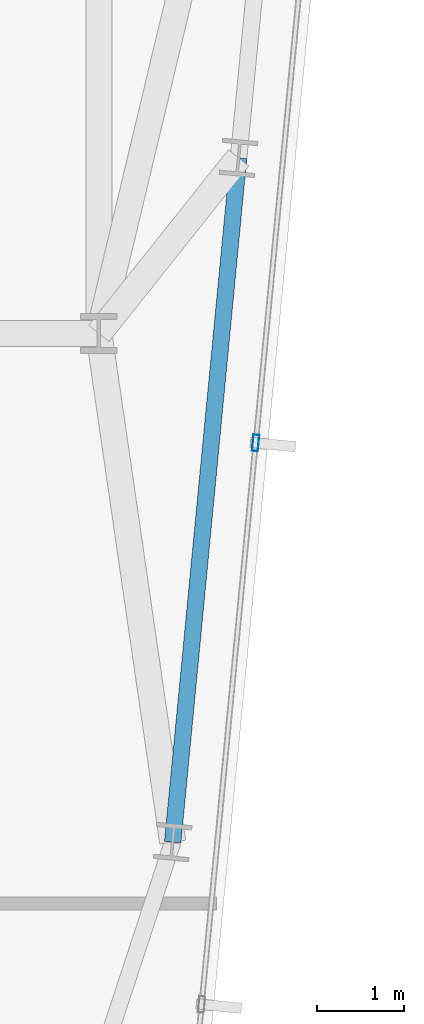
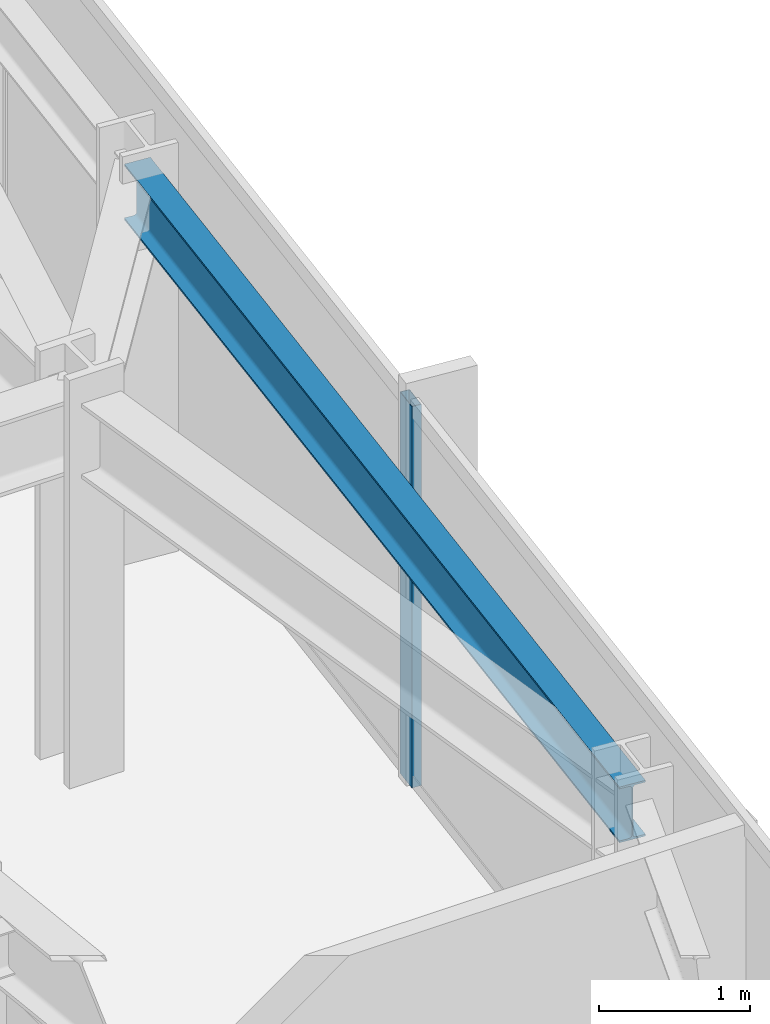
# One storey, part 16 of 37: 1 beam, 1 member, 1 element without a shape of its own.
"""IFC4 building model written with IfcOpenShell, lengths in metres."""

from ifc_helpers import new_model, si_unit, direction, frame, origin, origin_2d, place, context, subcontext, project, spatial, hollow_rectangle, i_section, extrude, material, material_profile, profile_set, type_object, element, aggregate, save


model = new_model("IFC4")

# Units and contexts
model_context = context("Model", 3, precision=1e-05, world=origin(), true_north=direction((0.0, 1.0)))
body_context = subcontext(model_context, "Body", "Model", "MODEL_VIEW")
ifc_project = project(units=[si_unit("LENGTHUNIT", "METRE"), si_unit("AREAUNIT", "SQUARE_METRE"), si_unit("VOLUMEUNIT", "CUBIC_METRE"), si_unit("PLANEANGLEUNIT", "RADIAN"), si_unit("MASSUNIT", "GRAM", prefix="KILO")], contexts=[model_context])

# Site, building, storey
site_placement = place(None, origin())
site = spatial("IfcSite", under=ifc_project, at=site_placement, CompositionType="ELEMENT")
building_placement = place(site_placement, origin())
building = spatial("IfcBuilding", under=site, at=building_placement, Name="Yelkora Congress Tower", CompositionType="ELEMENT")
storey_placement = place(building_placement, frame((0.0, 0.0, 149.0)))
storey = spatial("IfcBuildingStorey", under=building, at=storey_placement, Name="L40", CompositionType="ELEMENT", Elevation=149.0)

# Beam
ifc_material_1 = material(Name="Steel S355J2", Category="steel")
ifc_material_profile_1 = material_profile(ifc_material_1, i_section(OverallWidth=0.18994140625, OverallDepth=0.449951171875, WebThickness=0.009521484375, FlangeThickness=0.0146484375, FilletRadius=0.02099609375, at=origin_2d()), Name="IPE 450")
ifc_profile_set_1 = profile_set([ifc_material_profile_1], Name="Steel S355J2")
beam_type = type_object("IfcBeamType", Name="BM-SPAN-IPE450", PredefinedType="SPANDREL", material=ifc_profile_set_1)
beam_placement = place(storey_placement, frame((58.44921875, 19.353759765625, 2.85498046875), z_axis=(0.095831353931, 0.995397584689, 0.0), x_axis=(-0.995397584689, 0.095831353931, 0.0)))
element("IfcBeam", 1, at=beam_placement, inside=storey, type_object=beam_type, Name="L40 Perimeter Beam 10", PredefinedType="SPANDREL", context=body_context, shape_type="SweptSolid", body=[
    extrude(i_section(OverallWidth=0.18994140625, OverallDepth=0.449951171875, WebThickness=0.009521484375, FlangeThickness=0.0146484375, FilletRadius=0.02099609375, at=origin_2d()), origin(), (0.0, 0.0, 1.0), 7.900146484375),
])

# Curtain wall, member
ifc_material_2 = material(Name="Anodised aluminium and insulated glass", Category="aluminium")
curtain_wall_type = type_object("IfcCurtainWallType", Name="CW-SYS-B3", PredefinedType="NOTDEFINED", material=ifc_material_2)
curtain_wall_placement = place(storey_placement, origin())
curtain_wall = element("IfcCurtainWall", 2, at=curtain_wall_placement, inside=storey, type_object=curtain_wall_type, Name="L40 Unitised Curtain Wall 15", PredefinedType="NOTDEFINED")
ifc_material_3 = material(Name="Anodised aluminium 6063-T6", Category="aluminium")
ifc_material_profile_2 = material_profile(ifc_material_3, hollow_rectangle(XDim=0.070068359375, YDim=0.18994140625, WallThickness=0.00390625, at=origin_2d()), Name="ALU 70x190x4")
ifc_profile_set_2 = profile_set([ifc_material_profile_2], Name="Anodised aluminium 6063-T6")
member_type = type_object("IfcMemberType", Name="MEM-ML-B3", PredefinedType="MULLION", material=ifc_profile_set_2)
member_placement = place(storey_placement, frame((59.4033203125, 23.94140625, 0.0), z_axis=(0.0, 0.0, 1.0), x_axis=(0.995396565076, -0.095841944023, 0.0)))
member = element("IfcMember", 3, at=member_placement, type_object=member_type, Name="CW-B3 mullion 4", PredefinedType="MULLION", context=body_context, shape_type="SweptSolid", body=[
    extrude(hollow_rectangle(XDim=0.070068359375, YDim=0.18994140625, WallThickness=0.00390625, at=origin_2d()), origin(), (0.0, 0.0, 1.0), 3.080078125),
])
aggregate(curtain_wall, [member])

save(model, "model.ifc")
